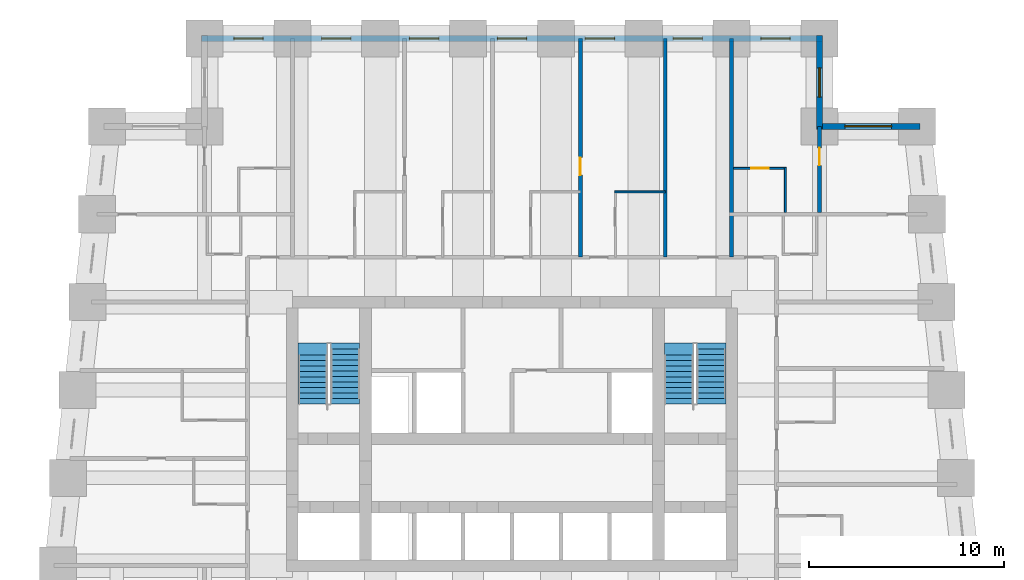
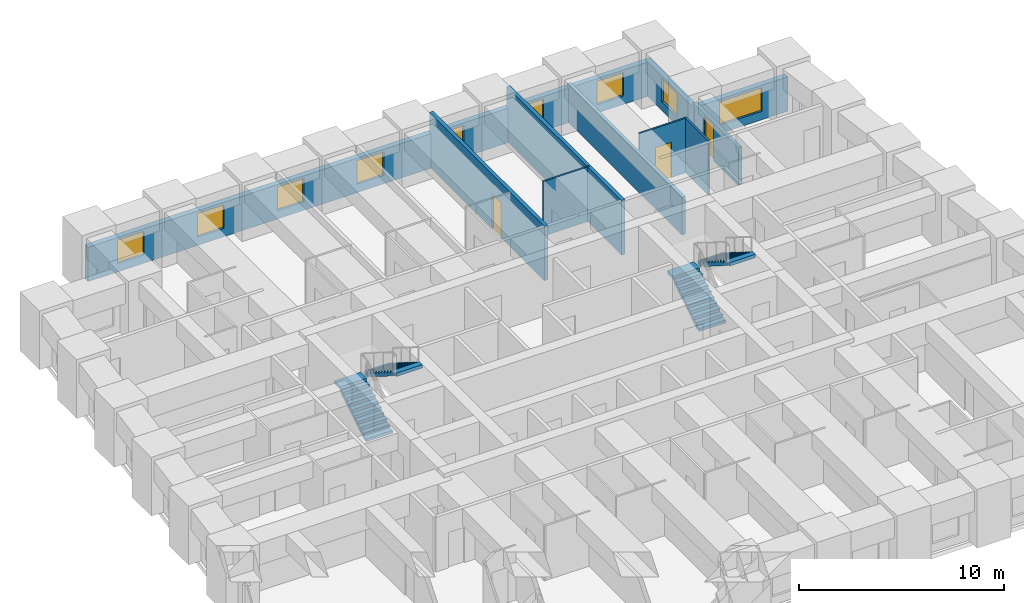
# One storey, part 7 of 8: 10 walls, 9 windows, 4 stair flights, 3 doors, 12 openings, 2 elements without a shape of their own.
"""IFC4 building model written with IfcOpenShell, lengths in metres."""

from ifc_helpers import new_model, si_unit, direction, frame, frame_2d, origin, place, context, subcontext, project, spatial, polyline, rectangle, outline, extrude, material, layer, layer_set, type_object, element, fill, aggregate, save


model = new_model("IFC4")

# Units and contexts
model_context = context("Model", 3, precision=1e-05, world=origin(), true_north=direction((0.0, 1.0)))
body_context = subcontext(model_context, "Body", "Model", "MODEL_VIEW")
ifc_project = project(units=[si_unit("LENGTHUNIT", "METRE"), si_unit("AREAUNIT", "SQUARE_METRE"), si_unit("VOLUMEUNIT", "CUBIC_METRE"), si_unit("PLANEANGLEUNIT", "RADIAN"), si_unit("MASSUNIT", "GRAM", prefix="KILO")], contexts=[model_context])

# Site, building, storey
site_placement = place(None, origin())
site = spatial("IfcSite", under=ifc_project, at=site_placement, CompositionType="ELEMENT")
building_placement = place(site_placement, origin())
building = spatial("IfcBuilding", under=site, at=building_placement, Name="Kilele Tower Hotel", CompositionType="ELEMENT")
storey_placement = place(building_placement, frame((0.0, 0.0, 78.699951171875)))
storey = spatial("IfcBuildingStorey", under=building, at=storey_placement, Name="L19", CompositionType="ELEMENT", Elevation=78.699951171875)

# Walls
ifc_material_1 = material(Name="Moisture-resistant board")
ifc_layer_1 = layer(ifc_material_1, 0.10009765625)
ifc_layer_set_1 = layer_set([ifc_layer_1], Name="Moisture-resistant board")
wall_type_1 = type_object("IfcWallType", Name="Bathroom partition 100", PredefinedType="PLUMBINGWALL", material=ifc_layer_set_1)
wall_1_placement = place(storey_placement, frame((30.0, 32.64990234375, 0.0), z_axis=(0.0, 0.0, 1.0), x_axis=(1.0, 0.0, 0.0)))
element("IfcWall", 1, at=wall_1_placement, inside=storey, type_object=wall_type_1, Name="Bathroom partition 100 L19", PredefinedType="PLUMBINGWALL", context=body_context, shape_type="SweptSolid", body=[
    extrude(rectangle(XDim=2.60009765625, YDim=0.10009765625, at=frame_2d((1.300048828125, 0.0))), origin(), (0.0, 0.0, 1.0), 3.25),
])
wall_2_placement = place(storey_placement, frame((38.75, 31.60009765625, 0.0), z_axis=(0.0, 0.0, 1.0), x_axis=(0.0, 1.0, 0.0)))
element("IfcWall", 2, at=wall_2_placement, inside=storey, type_object=wall_type_1, Name="Bathroom partition 100 L19", PredefinedType="PLUMBINGWALL", context=body_context, shape_type="SweptSolid", body=[
    extrude(rectangle(XDim=2.2998046875, YDim=0.10009765625, at=frame_2d((1.14990234375, 0.0))), origin(), (0.0, 0.0, 1.0), 3.25),
])

# Wall, opening, door
wall_3_placement = place(storey_placement, frame((36.10009765625, 33.85009765625, 0.0), z_axis=(0.0, 0.0, 1.0), x_axis=(1.0, 0.0, 0.0)))
wall_3 = element("IfcWall", 3, at=wall_3_placement, inside=storey, type_object=wall_type_1, Name="Bathroom partition 100 L19", PredefinedType="PLUMBINGWALL", context=body_context, shape_type="SweptSolid", body=[
    extrude(rectangle(XDim=2.699951171875, YDim=0.10009765625, at=frame_2d((1.35009765625, 0.0))), origin(), (0.0, 0.0, 1.0), 3.25),
])
opening_1_placement = place(wall_3_placement, frame((0.89990234375, 0.0, 0.0)))
opening_1 = element("IfcOpeningElement", 4, at=opening_1_placement, cuts=wall_3, Name="Opening D2A", PredefinedType="OPENING", context=body_context, shape_type="SweptSolid", body=[
    extrude(rectangle(XDim=0.89990234375, YDim=2.10009765625, at=frame_2d((0.449951171875, 1.050048828125))), frame((0.0, 0.06005859375, 0.0), z_axis=(0.0, -1.0, 0.0), x_axis=(1.0, 0.0, 0.0)), (0.0, 0.0, 1.0), 0.1201171875),
])
ifc_material_2 = material(Name="Timber door leaf in hardwood frame", Category="wood")
door_type_1 = type_object("IfcDoorType", Name="Bathroom door 900", OperationType="SINGLE_SWING_LEFT", PredefinedType="DOOR", material=ifc_material_2)
door_1_placement = place(opening_1_placement, origin())
door_1 = element("IfcDoor", 5, at=door_1_placement, inside=storey, type_object=door_type_1, Name="Bathroom door 1924B", OperationType="SINGLE_SWING_LEFT", OverallHeight=2.10009765625, OverallWidth=0.89990234375, PredefinedType="DOOR", context=body_context, shape_type="SweptSolid", body=[
    extrude(rectangle(XDim=0.89990234375, YDim=2.10009765625, at=frame_2d((0.449951171875, 1.050048828125))), frame((0.0, 0.02490234375, 0.0), z_axis=(0.0, -1.0, 0.0), x_axis=(1.0, 0.0, 0.0)), (0.0, 0.0, 1.0), 0.050048828125),
])
fill(opening_1, door_1)

ifc_material_3 = material(Name="Blockwork, plastered both sides", Category="masonry")
ifc_layer_2 = layer(ifc_material_3, 0.199951171875)
ifc_layer_set_2 = layer_set([ifc_layer_2], Name="Blockwork, plastered both sides")
wall_type_2 = type_object("IfcWallType", Name="Partition wall 200", PredefinedType="PARTITIONING", material=ifc_layer_set_2)
wall_4_placement = place(storey_placement, frame((40.5, 31.60009765625, 0.0), z_axis=(0.0, 0.0, 1.0), x_axis=(0.0, 1.0, 0.0)))
wall_4 = element("IfcWall", 6, at=wall_4_placement, inside=storey, type_object=wall_type_2, Name="Partition wall 200 L19", PredefinedType="PARTITIONING", context=body_context, shape_type="SweptSolid", body=[
    extrude(rectangle(XDim=4.39990234375, YDim=0.199951171875, at=frame_2d((2.199951171875, 0.0))), origin(), (0.0, 0.0, 1.0), 2.25),
])
opening_2_placement = place(wall_4_placement, frame((2.39990234375, 0.0, 0.0)))
opening_2 = element("IfcOpeningElement", 7, at=opening_2_placement, cuts=wall_4, Name="Opening D3", PredefinedType="OPENING", context=body_context, shape_type="SweptSolid", body=[
    extrude(rectangle(XDim=0.89990234375, YDim=2.10009765625, at=frame_2d((0.449951171875, 1.050048828125))), frame((0.0, 0.10986328125, 0.0), z_axis=(0.0, -1.0, 0.0), x_axis=(1.0, 0.0, 0.0)), (0.0, 0.0, 1.0), 0.219970703125),
])
ifc_material_4 = material(Name="Timber door leaf in hardwood frame", Category="wood")
door_type_2 = type_object("IfcDoorType", Name="Suite internal door 900", OperationType="SINGLE_SWING_LEFT", PredefinedType="DOOR", material=ifc_material_4)
door_2_placement = place(opening_2_placement, origin())
door_2 = element("IfcDoor", 8, at=door_2_placement, inside=storey, type_object=door_type_2, Name="Suite door 1925", OperationType="SINGLE_SWING_RIGHT", OverallHeight=2.10009765625, OverallWidth=0.89990234375, PredefinedType="DOOR", context=body_context, shape_type="SweptSolid", body=[
    extrude(rectangle(XDim=0.89990234375, YDim=2.10009765625, at=frame_2d((0.449951171875, 1.050048828125))), frame((0.0, 0.02490234375, 0.0), z_axis=(0.0, -1.0, 0.0), x_axis=(1.0, 0.0, 0.0)), (0.0, 0.0, 1.0), 0.050048828125),
])
fill(opening_2, door_2)

ifc_material_5 = material(Name="Blockwork, plastered both sides", Category="masonry")
ifc_layer_3 = layer(ifc_material_5, 0.199951171875)
ifc_layer_set_3 = layer_set([ifc_layer_3], Name="Blockwork, plastered both sides")
wall_type_3 = type_object("IfcWallType", Name="Party wall 200", PredefinedType="PARTITIONING", material=ifc_layer_set_3)
wall_5_placement = place(storey_placement, frame((28.25, 29.300048828125, 0.0), z_axis=(0.0, 0.0, 1.0), x_axis=(0.0, 1.0, 0.0)))
wall_5 = element("IfcWall", 9, at=wall_5_placement, inside=storey, type_object=wall_type_3, Name="Party wall 200 L19", PredefinedType="PARTITIONING", context=body_context, shape_type="SweptSolid", body=[
    extrude(rectangle(XDim=11.199951171875, YDim=0.199951171875, at=frame_2d((5.60009765625, 0.0))), origin(), (0.0, 0.0, 1.0), 3.25),
])
opening_3_placement = place(wall_5_placement, frame((4.199951171875, 0.0, 0.0)))
opening_3 = element("IfcOpeningElement", 10, at=opening_3_placement, cuts=wall_5, Name="Opening D3C", PredefinedType="OPENING", context=body_context, shape_type="SweptSolid", body=[
    extrude(rectangle(XDim=0.89990234375, YDim=2.10009765625, at=frame_2d((0.449951171875, 1.050048828125))), frame((0.0, 0.10986328125, 0.0), z_axis=(0.0, -1.0, 0.0), x_axis=(1.0, 0.0, 0.0)), (0.0, 0.0, 1.0), 0.219970703125),
])
ifc_material_6 = material(Name="Timber door leaf in hardwood frame", Category="wood")
door_type_3 = type_object("IfcDoorType", Name="Connecting door 900", OperationType="SINGLE_SWING_LEFT", PredefinedType="DOOR", material=ifc_material_6)
door_3_placement = place(opening_3_placement, origin())
door_3 = element("IfcDoor", 11, at=door_3_placement, inside=storey, type_object=door_type_3, Name="Connecting door 1912", OperationType="SINGLE_SWING_LEFT", OverallHeight=2.10009765625, OverallWidth=0.89990234375, PredefinedType="DOOR", context=body_context, shape_type="SweptSolid", body=[
    extrude(rectangle(XDim=0.89990234375, YDim=2.10009765625, at=frame_2d((0.449951171875, 1.050048828125))), frame((0.0, 0.02490234375, 0.0), z_axis=(0.0, -1.0, 0.0), x_axis=(1.0, 0.0, 0.0)), (0.0, 0.0, 1.0), 0.050048828125),
])
fill(opening_3, door_3)

# Walls
wall_6_placement = place(storey_placement, frame((32.60009765625, 29.300048828125, 0.0), z_axis=(0.0, 0.0, 1.0), x_axis=(0.0, 1.0, 0.0)))
element("IfcWall", 12, at=wall_6_placement, inside=storey, type_object=wall_type_3, Name="Party wall 200 L19", PredefinedType="PARTITIONING", context=body_context, shape_type="SweptSolid", body=[
    extrude(rectangle(XDim=11.199951171875, YDim=0.199951171875, at=frame_2d((5.60009765625, 0.0))), origin(), (0.0, 0.0, 1.0), 3.25),
])
wall_7_placement = place(storey_placement, frame((36.0, 29.300048828125, 0.0), z_axis=(0.0, 0.0, 1.0), x_axis=(0.0, 1.0, 0.0)))
element("IfcWall", 13, at=wall_7_placement, inside=storey, type_object=wall_type_3, Name="Party wall 200 L19", PredefinedType="PARTITIONING", context=body_context, shape_type="SweptSolid", body=[
    extrude(rectangle(XDim=11.199951171875, YDim=0.199951171875, at=frame_2d((5.60009765625, 0.0))), origin(), (0.0, 0.0, 1.0), 2.25),
])

# Wall, opening, window
ifc_material_7 = material(Name="Concrete C40/50 precast", Category="concrete")
ifc_layer_4 = layer(ifc_material_7, 0.260009765625, Name="Precast backing", Category="LoadBearing")
ifc_material_8 = material(Name="Reconstituted stone finish", Category="masonry")
ifc_layer_5 = layer(ifc_material_8, 0.0400390625, Name="Face mix", Category="Finish")
ifc_layer_set_4 = layer_set([ifc_layer_4, ifc_layer_5], Name="Precast concrete C40/50, reconstituted stone finish")
wall_type_4 = type_object("IfcWallType", Name="Precast stone facade wall 300", PredefinedType="STANDARD", material=ifc_layer_set_4)
wall_8_placement = place(storey_placement, frame((45.64990234375, 36.0, 0.0), z_axis=(0.0, 0.0, 1.0), x_axis=(-1.0, 0.0, 0.0)))
wall_8 = element("IfcWall", 14, at=wall_8_placement, inside=storey, type_object=wall_type_4, Name="Facade wall L19 edge 7", PredefinedType="STANDARD", context=body_context, shape_type="SweptSolid", body=[
    extrude(rectangle(XDim=5.2998046875, YDim=0.300048828125, at=frame_2d((2.64990234375, 0.0))), origin(), (0.0, 0.0, 1.0), 2.050048828125),
])
opening_4_placement = place(wall_8_placement, frame((1.449951171875, 0.0, 0.5)))
opening_4 = element("IfcOpeningElement", 15, at=opening_4_placement, cuts=wall_8, Name="Opening W1", PredefinedType="OPENING", context=body_context, shape_type="SweptSolid", body=[
    extrude(rectangle(XDim=2.39990234375, YDim=1.39990234375, at=frame_2d((1.199951171875, 0.699951171875))), frame((0.0, 0.159912109375, 0.0), z_axis=(0.0, -1.0, 0.0), x_axis=(1.0, 0.0, 0.0)), (0.0, 0.0, 1.0), 0.320068359375),
])
ifc_material_9 = material(Name="Aluminium frame, clear double glazing", Category="aluminium")
window_type_1 = type_object("IfcWindowType", Name="Window W1 2400 x 1400", PartitioningType="SINGLE_PANEL", PredefinedType="WINDOW", material=ifc_material_9)
window_1_placement = place(opening_4_placement, origin())
window_1 = element("IfcWindow", 16, at=window_1_placement, inside=storey, type_object=window_type_1, Name="Window L19", OverallHeight=1.39990234375, OverallWidth=2.39990234375, PartitioningType="SINGLE_PANEL", PredefinedType="WINDOW", context=body_context, shape_type="SweptSolid", body=[
    extrude(rectangle(XDim=2.39990234375, YDim=1.39990234375, at=frame_2d((1.199951171875, 0.699951171875))), frame((0.0, 0.030029296875, 0.0), z_axis=(0.0, -1.0, 0.0), x_axis=(1.0, 0.0, 0.0)), (0.0, 0.0, 1.0), 0.06005859375),
])
fill(opening_4, window_1)

wall_9_placement = place(storey_placement, frame((40.5, 35.85009765625, 0.0), z_axis=(0.0, 0.0, 1.0), x_axis=(0.0, 1.0, 0.0)))
wall_9 = element("IfcWall", 17, at=wall_9_placement, inside=storey, type_object=wall_type_4, Name="Facade wall L19 edge 8", PredefinedType="STANDARD", context=body_context, shape_type="SweptSolid", body=[
    extrude(rectangle(XDim=4.7998046875, YDim=0.300048828125, at=frame_2d((2.39990234375, 0.0))), origin(), (0.0, 0.0, 1.0), 2.050048828125),
])
opening_5_placement = place(wall_9_placement, frame((1.64990234375, 0.0, 0.5)))
opening_5 = element("IfcOpeningElement", 18, at=opening_5_placement, cuts=wall_9, Name="Opening W1", PredefinedType="OPENING", context=body_context, shape_type="SweptSolid", body=[
    extrude(rectangle(XDim=1.5, YDim=1.39990234375, at=frame_2d((0.75, 0.699951171875))), frame((0.0, 0.159912109375, 0.0), z_axis=(0.0, -1.0, 0.0), x_axis=(1.0, 0.0, 0.0)), (0.0, 0.0, 1.0), 0.320068359375),
])
ifc_material_10 = material(Name="Aluminium frame, clear double glazing", Category="aluminium")
window_type_2 = type_object("IfcWindowType", Name="Window W1 1500 x 1400", PartitioningType="SINGLE_PANEL", PredefinedType="WINDOW", material=ifc_material_10)
window_2_placement = place(opening_5_placement, origin())
window_2 = element("IfcWindow", 19, at=window_2_placement, inside=storey, type_object=window_type_2, Name="Window L19", OverallHeight=1.39990234375, OverallWidth=1.5, PartitioningType="SINGLE_PANEL", PredefinedType="WINDOW", context=body_context, shape_type="SweptSolid", body=[
    extrude(rectangle(XDim=1.5, YDim=1.39990234375, at=frame_2d((0.75, 0.699951171875))), frame((0.0, 0.030029296875, 0.0), z_axis=(0.0, -1.0, 0.0), x_axis=(1.0, 0.0, 0.0)), (0.0, 0.0, 1.0), 0.06005859375),
])
fill(opening_5, window_2)

# Wall, openings, windows
wall_10_placement = place(storey_placement, frame((40.64990234375, 40.5, 0.0), z_axis=(0.0, 0.0, 1.0), x_axis=(-1.0, 0.0, 0.0)))
wall_10 = element("IfcWall", 20, at=wall_10_placement, inside=storey, type_object=wall_type_4, Name="Facade wall L19 edge 9", PredefinedType="STANDARD", context=body_context, shape_type="SweptSolid", body=[
    extrude(rectangle(XDim=31.7998046875, YDim=0.300048828125, at=frame_2d((15.89990234375, 0.0))), origin(), (0.0, 0.0, 1.0), 2.050048828125),
])
opening_6_placement = place(wall_10_placement, frame((1.64990234375, 0.0, 0.5)))
opening_6 = element("IfcOpeningElement", 21, at=opening_6_placement, cuts=wall_10, Name="Opening W1", PredefinedType="OPENING", context=body_context, shape_type="SweptSolid", body=[
    extrude(rectangle(XDim=1.5, YDim=1.39990234375, at=frame_2d((0.75, 0.699951171875))), frame((0.0, 0.159912109375, 0.0), z_axis=(0.0, -1.0, 0.0), x_axis=(1.0, 0.0, 0.0)), (0.0, 0.0, 1.0), 0.320068359375),
])
opening_7_placement = place(wall_10_placement, frame((6.14990234375, 0.0, 0.5)))
opening_7 = element("IfcOpeningElement", 22, at=opening_7_placement, cuts=wall_10, Name="Opening W1", PredefinedType="OPENING", context=body_context, shape_type="SweptSolid", body=[
    extrude(rectangle(XDim=1.5, YDim=1.39990234375, at=frame_2d((0.75, 0.699951171875))), frame((0.0, 0.159912109375, 0.0), z_axis=(0.0, -1.0, 0.0), x_axis=(1.0, 0.0, 0.0)), (0.0, 0.0, 1.0), 0.320068359375),
])
opening_8_placement = place(wall_10_placement, frame((10.64990234375, 0.0, 0.5)))
opening_8 = element("IfcOpeningElement", 23, at=opening_8_placement, cuts=wall_10, Name="Opening W1", PredefinedType="OPENING", context=body_context, shape_type="SweptSolid", body=[
    extrude(rectangle(XDim=1.5, YDim=1.39990234375, at=frame_2d((0.75, 0.699951171875))), frame((0.0, 0.159912109375, 0.0), z_axis=(0.0, -1.0, 0.0), x_axis=(1.0, 0.0, 0.0)), (0.0, 0.0, 1.0), 0.320068359375),
])
opening_9_placement = place(wall_10_placement, frame((15.14990234375, 0.0, 0.5)))
opening_9 = element("IfcOpeningElement", 24, at=opening_9_placement, cuts=wall_10, Name="Opening W1", PredefinedType="OPENING", context=body_context, shape_type="SweptSolid", body=[
    extrude(rectangle(XDim=1.5, YDim=1.39990234375, at=frame_2d((0.75, 0.699951171875))), frame((0.0, 0.159912109375, 0.0), z_axis=(0.0, -1.0, 0.0), x_axis=(1.0, 0.0, 0.0)), (0.0, 0.0, 1.0), 0.320068359375),
])
opening_10_placement = place(wall_10_placement, frame((19.64990234375, 0.0, 0.5)))
opening_10 = element("IfcOpeningElement", 25, at=opening_10_placement, cuts=wall_10, Name="Opening W1", PredefinedType="OPENING", context=body_context, shape_type="SweptSolid", body=[
    extrude(rectangle(XDim=1.5, YDim=1.39990234375, at=frame_2d((0.75, 0.699951171875))), frame((0.0, 0.159912109375, 0.0), z_axis=(0.0, -1.0, 0.0), x_axis=(1.0, 0.0, 0.0)), (0.0, 0.0, 1.0), 0.320068359375),
])
opening_11_placement = place(wall_10_placement, frame((24.14990234375, 0.0, 0.5)))
opening_11 = element("IfcOpeningElement", 26, at=opening_11_placement, cuts=wall_10, Name="Opening W1", PredefinedType="OPENING", context=body_context, shape_type="SweptSolid", body=[
    extrude(rectangle(XDim=1.5, YDim=1.39990234375, at=frame_2d((0.75, 0.699951171875))), frame((0.0, 0.159912109375, 0.0), z_axis=(0.0, -1.0, 0.0), x_axis=(1.0, 0.0, 0.0)), (0.0, 0.0, 1.0), 0.320068359375),
])
opening_12_placement = place(wall_10_placement, frame((28.64990234375, 0.0, 0.5)))
opening_12 = element("IfcOpeningElement", 27, at=opening_12_placement, cuts=wall_10, Name="Opening W1", PredefinedType="OPENING", context=body_context, shape_type="SweptSolid", body=[
    extrude(rectangle(XDim=1.5, YDim=1.39990234375, at=frame_2d((0.75, 0.699951171875))), frame((0.0, 0.159912109375, 0.0), z_axis=(0.0, -1.0, 0.0), x_axis=(1.0, 0.0, 0.0)), (0.0, 0.0, 1.0), 0.320068359375),
])
window_3_placement = place(opening_6_placement, origin())
window_3 = element("IfcWindow", 28, at=window_3_placement, inside=storey, type_object=window_type_2, Name="Window L19", OverallHeight=1.39990234375, OverallWidth=1.5, PartitioningType="SINGLE_PANEL", PredefinedType="WINDOW", context=body_context, shape_type="SweptSolid", body=[
    extrude(rectangle(XDim=1.5, YDim=1.39990234375, at=frame_2d((0.75, 0.699951171875))), frame((0.0, 0.030029296875, 0.0), z_axis=(0.0, -1.0, 0.0), x_axis=(1.0, 0.0, 0.0)), (0.0, 0.0, 1.0), 0.06005859375),
])
fill(opening_6, window_3)
window_4_placement = place(opening_7_placement, origin())
window_4 = element("IfcWindow", 29, at=window_4_placement, inside=storey, type_object=window_type_2, Name="Window L19", OverallHeight=1.39990234375, OverallWidth=1.5, PartitioningType="SINGLE_PANEL", PredefinedType="WINDOW", context=body_context, shape_type="SweptSolid", body=[
    extrude(rectangle(XDim=1.5, YDim=1.39990234375, at=frame_2d((0.75, 0.699951171875))), frame((0.0, 0.030029296875, 0.0), z_axis=(0.0, -1.0, 0.0), x_axis=(1.0, 0.0, 0.0)), (0.0, 0.0, 1.0), 0.06005859375),
])
fill(opening_7, window_4)
window_5_placement = place(opening_8_placement, origin())
window_5 = element("IfcWindow", 30, at=window_5_placement, inside=storey, type_object=window_type_2, Name="Window L19", OverallHeight=1.39990234375, OverallWidth=1.5, PartitioningType="SINGLE_PANEL", PredefinedType="WINDOW", context=body_context, shape_type="SweptSolid", body=[
    extrude(rectangle(XDim=1.5, YDim=1.39990234375, at=frame_2d((0.75, 0.699951171875))), frame((0.0, 0.030029296875, 0.0), z_axis=(0.0, -1.0, 0.0), x_axis=(1.0, 0.0, 0.0)), (0.0, 0.0, 1.0), 0.06005859375),
])
fill(opening_8, window_5)
window_6_placement = place(opening_9_placement, origin())
window_6 = element("IfcWindow", 31, at=window_6_placement, inside=storey, type_object=window_type_2, Name="Window L19", OverallHeight=1.39990234375, OverallWidth=1.5, PartitioningType="SINGLE_PANEL", PredefinedType="WINDOW", context=body_context, shape_type="SweptSolid", body=[
    extrude(rectangle(XDim=1.5, YDim=1.39990234375, at=frame_2d((0.75, 0.699951171875))), frame((0.0, 0.030029296875, 0.0), z_axis=(0.0, -1.0, 0.0), x_axis=(1.0, 0.0, 0.0)), (0.0, 0.0, 1.0), 0.06005859375),
])
fill(opening_9, window_6)
window_7_placement = place(opening_10_placement, origin())
window_7 = element("IfcWindow", 32, at=window_7_placement, inside=storey, type_object=window_type_2, Name="Window L19", OverallHeight=1.39990234375, OverallWidth=1.5, PartitioningType="SINGLE_PANEL", PredefinedType="WINDOW", context=body_context, shape_type="SweptSolid", body=[
    extrude(rectangle(XDim=1.5, YDim=1.39990234375, at=frame_2d((0.75, 0.699951171875))), frame((0.0, 0.030029296875, 0.0), z_axis=(0.0, -1.0, 0.0), x_axis=(1.0, 0.0, 0.0)), (0.0, 0.0, 1.0), 0.06005859375),
])
fill(opening_10, window_7)
window_8_placement = place(opening_11_placement, origin())
window_8 = element("IfcWindow", 33, at=window_8_placement, inside=storey, type_object=window_type_2, Name="Window L19", OverallHeight=1.39990234375, OverallWidth=1.5, PartitioningType="SINGLE_PANEL", PredefinedType="WINDOW", context=body_context, shape_type="SweptSolid", body=[
    extrude(rectangle(XDim=1.5, YDim=1.39990234375, at=frame_2d((0.75, 0.699951171875))), frame((0.0, 0.030029296875, 0.0), z_axis=(0.0, -1.0, 0.0), x_axis=(1.0, 0.0, 0.0)), (0.0, 0.0, 1.0), 0.06005859375),
])
fill(opening_11, window_8)
window_9_placement = place(opening_12_placement, origin())
window_9 = element("IfcWindow", 34, at=window_9_placement, inside=storey, type_object=window_type_2, Name="Window L19", OverallHeight=1.39990234375, OverallWidth=1.5, PartitioningType="SINGLE_PANEL", PredefinedType="WINDOW", context=body_context, shape_type="SweptSolid", body=[
    extrude(rectangle(XDim=1.5, YDim=1.39990234375, at=frame_2d((0.75, 0.699951171875))), frame((0.0, 0.030029296875, 0.0), z_axis=(0.0, -1.0, 0.0), x_axis=(1.0, 0.0, 0.0)), (0.0, 0.0, 1.0), 0.06005859375),
])
fill(opening_12, window_9)

# Stair, stair flights
ifc_material_11 = material(Name="Precast concrete C40/50", Category="concrete")
stair_type = type_object("IfcStairType", Name="Stair 1475 x 3500", PredefinedType="HALF_TURN_STAIR", material=ifc_material_11)
stair_1_placement = place(storey_placement, origin())
stair_1 = element("IfcStair", 35, at=stair_1_placement, inside=storey, type_object=stair_type, Name="Stair 1 L19", PredefinedType="HALF_TURN_STAIR")
ifc_material_12 = material(Name="Precast concrete C40/50", Category="concrete")
stair_flight_type = type_object("IfcStairFlightType", Name="Flight 1475 riser 175.0", PredefinedType="STRAIGHT", material=ifc_material_12)
stair_flight_1_placement = place(storey_placement, frame((14.53759765625, 21.77490234375, 0.0), z_axis=(0.0, 0.0, 1.0), x_axis=(0.0, 1.0, 0.0)))
stair_flight_1 = element("IfcStairFlight", 36, at=stair_flight_1_placement, type_object=stair_flight_type, Name="ST1 flight 1", NumberOfRisers=10, NumberOfTreads=9, PredefinedType="STRAIGHT", RiserHeight=0.175, TreadLength=0.28, context=body_context, shape_type="SweptSolid", body=[
    extrude(outline(polyline([(0.0, 0.0), (0.0, 0.175048828125), (0.280029296875, 0.175048828125), (0.280029296875, 0.35009765625), (0.56005859375, 0.35009765625), (0.56005859375, 0.52490234375), (0.840087890625, 0.52490234375), (0.840087890625, 0.699951171875), (1.1201171875, 0.699951171875), (1.1201171875, 0.875), (1.39990234375, 0.875), (1.39990234375, 1.050048828125), (1.679931640625, 1.050048828125), (1.679931640625, 1.22509765625), (1.9599609375, 1.22509765625), (1.9599609375, 1.39990234375), (2.239990234375, 1.39990234375), (2.239990234375, 1.574951171875), (2.52001953125, 1.574951171875), (2.52001953125, 1.75), (2.52001953125, 1.398193359375), (0.28271484375, 0.0), (0.0, 0.0)])), frame((0.0, 0.737548828125, 0.0), z_axis=(0.0, -1.0, 0.0), x_axis=(1.0, 0.0, 0.0)), (0.0, 0.0, 1.0), 1.47509765625),
    extrude(outline(polyline([(2.52001953125, 0.737548828125), (2.52001953125, -0.7373046875), (3.1201171875, -0.7373046875), (3.1201171875, 0.737548828125), (2.52001953125, 0.737548828125)])), frame((0.0, 0.0, 1.550048828125)), (0.0, 0.0, 1.0), 0.199951171875),
])
stair_flight_2_placement = place(storey_placement, frame((16.21240234375, 24.594970703125, 1.75), z_axis=(0.0, 0.0, 1.0), x_axis=(0.0, -1.0, 0.0)))
stair_flight_2 = element("IfcStairFlight", 37, at=stair_flight_2_placement, type_object=stair_flight_type, Name="ST1 flight 2", NumberOfRisers=10, NumberOfTreads=9, PredefinedType="STRAIGHT", RiserHeight=0.175, TreadLength=0.28, context=body_context, shape_type="SweptSolid", body=[
    extrude(outline(polyline([(0.0, 0.0), (0.0, 0.175048828125), (0.280029296875, 0.175048828125), (0.280029296875, 0.35009765625), (0.56005859375, 0.35009765625), (0.56005859375, 0.52490234375), (0.840087890625, 0.52490234375), (0.840087890625, 0.699951171875), (1.1201171875, 0.699951171875), (1.1201171875, 0.875), (1.39990234375, 0.875), (1.39990234375, 1.050048828125), (1.679931640625, 1.050048828125), (1.679931640625, 1.22509765625), (1.9599609375, 1.22509765625), (1.9599609375, 1.39990234375), (2.239990234375, 1.39990234375), (2.239990234375, 1.574951171875), (2.52001953125, 1.574951171875), (2.52001953125, 1.75), (2.52001953125, 1.398193359375), (0.28271484375, 0.0), (0.0, 0.0)])), frame((0.0, 0.737548828125, 0.0), z_axis=(0.0, -1.0, 0.0), x_axis=(1.0, 0.0, 0.0)), (0.0, 0.0, 1.0), 1.47509765625),
    extrude(outline(polyline([(0.0, -0.7373046875), (0.0, 0.737548828125), (-0.300048828125, 0.737548828125), (-0.300048828125, -0.7373046875), (0.0, -0.7373046875)])), frame((0.0, 0.0, -0.199951171875)), (0.0, 0.0, 1.0), 0.199951171875),
    extrude(outline(polyline([(2.820068359375, -0.7373046875), (2.820068359375, 0.737548828125), (2.52001953125, 0.737548828125), (2.52001953125, -0.7373046875), (2.820068359375, -0.7373046875)])), frame((0.0, 0.0, 1.550048828125)), (0.0, 0.0, 1.0), 0.199951171875),
])
aggregate(stair_1, [stair_flight_1, stair_flight_2])

stair_2_placement = place(storey_placement, origin())
stair_2 = element("IfcStair", 38, at=stair_2_placement, inside=storey, type_object=stair_type, Name="Stair 2 L19", PredefinedType="HALF_TURN_STAIR")
stair_flight_3_placement = place(storey_placement, frame((33.28759765625, 21.77490234375, 0.0), z_axis=(0.0, 0.0, 1.0), x_axis=(0.0, 1.0, 0.0)))
stair_flight_3 = element("IfcStairFlight", 39, at=stair_flight_3_placement, type_object=stair_flight_type, Name="ST2 flight 1", NumberOfRisers=10, NumberOfTreads=9, PredefinedType="STRAIGHT", RiserHeight=0.175, TreadLength=0.28, context=body_context, shape_type="SweptSolid", body=[
    extrude(outline(polyline([(0.0, 0.0), (0.0, 0.175048828125), (0.280029296875, 0.175048828125), (0.280029296875, 0.35009765625), (0.56005859375, 0.35009765625), (0.56005859375, 0.52490234375), (0.840087890625, 0.52490234375), (0.840087890625, 0.699951171875), (1.1201171875, 0.699951171875), (1.1201171875, 0.875), (1.39990234375, 0.875), (1.39990234375, 1.050048828125), (1.679931640625, 1.050048828125), (1.679931640625, 1.22509765625), (1.9599609375, 1.22509765625), (1.9599609375, 1.39990234375), (2.239990234375, 1.39990234375), (2.239990234375, 1.574951171875), (2.52001953125, 1.574951171875), (2.52001953125, 1.75), (2.52001953125, 1.398193359375), (0.28271484375, 0.0), (0.0, 0.0)])), frame((0.0, 0.737548828125, 0.0), z_axis=(0.0, -1.0, 0.0), x_axis=(1.0, 0.0, 0.0)), (0.0, 0.0, 1.0), 1.47509765625),
    extrude(outline(polyline([(2.52001953125, 0.737548828125), (2.52001953125, -0.7373046875), (3.1201171875, -0.7373046875), (3.1201171875, 0.737548828125), (2.52001953125, 0.737548828125)])), frame((0.0, 0.0, 1.550048828125)), (0.0, 0.0, 1.0), 0.199951171875),
])
stair_flight_4_placement = place(storey_placement, frame((34.96240234375, 24.594970703125, 1.75), z_axis=(0.0, 0.0, 1.0), x_axis=(0.0, -1.0, 0.0)))
stair_flight_4 = element("IfcStairFlight", 40, at=stair_flight_4_placement, type_object=stair_flight_type, Name="ST2 flight 2", NumberOfRisers=10, NumberOfTreads=9, PredefinedType="STRAIGHT", RiserHeight=0.175, TreadLength=0.28, context=body_context, shape_type="SweptSolid", body=[
    extrude(outline(polyline([(0.0, 0.0), (0.0, 0.175048828125), (0.280029296875, 0.175048828125), (0.280029296875, 0.35009765625), (0.56005859375, 0.35009765625), (0.56005859375, 0.52490234375), (0.840087890625, 0.52490234375), (0.840087890625, 0.699951171875), (1.1201171875, 0.699951171875), (1.1201171875, 0.875), (1.39990234375, 0.875), (1.39990234375, 1.050048828125), (1.679931640625, 1.050048828125), (1.679931640625, 1.22509765625), (1.9599609375, 1.22509765625), (1.9599609375, 1.39990234375), (2.239990234375, 1.39990234375), (2.239990234375, 1.574951171875), (2.52001953125, 1.574951171875), (2.52001953125, 1.75), (2.52001953125, 1.398193359375), (0.28271484375, 0.0), (0.0, 0.0)])), frame((0.0, 0.737548828125, 0.0), z_axis=(0.0, -1.0, 0.0), x_axis=(1.0, 0.0, 0.0)), (0.0, 0.0, 1.0), 1.47509765625),
    extrude(outline(polyline([(0.0, -0.7373046875), (0.0, 0.737548828125), (-0.300048828125, 0.737548828125), (-0.300048828125, -0.7373046875), (0.0, -0.7373046875)])), frame((0.0, 0.0, -0.199951171875)), (0.0, 0.0, 1.0), 0.199951171875),
    extrude(outline(polyline([(2.820068359375, -0.7373046875), (2.820068359375, 0.737548828125), (2.52001953125, 0.737548828125), (2.52001953125, -0.7373046875), (2.820068359375, -0.7373046875)])), frame((0.0, 0.0, 1.550048828125)), (0.0, 0.0, 1.0), 0.199951171875),
])
aggregate(stair_2, [stair_flight_3, stair_flight_4])

save(model, "model.ifc")
